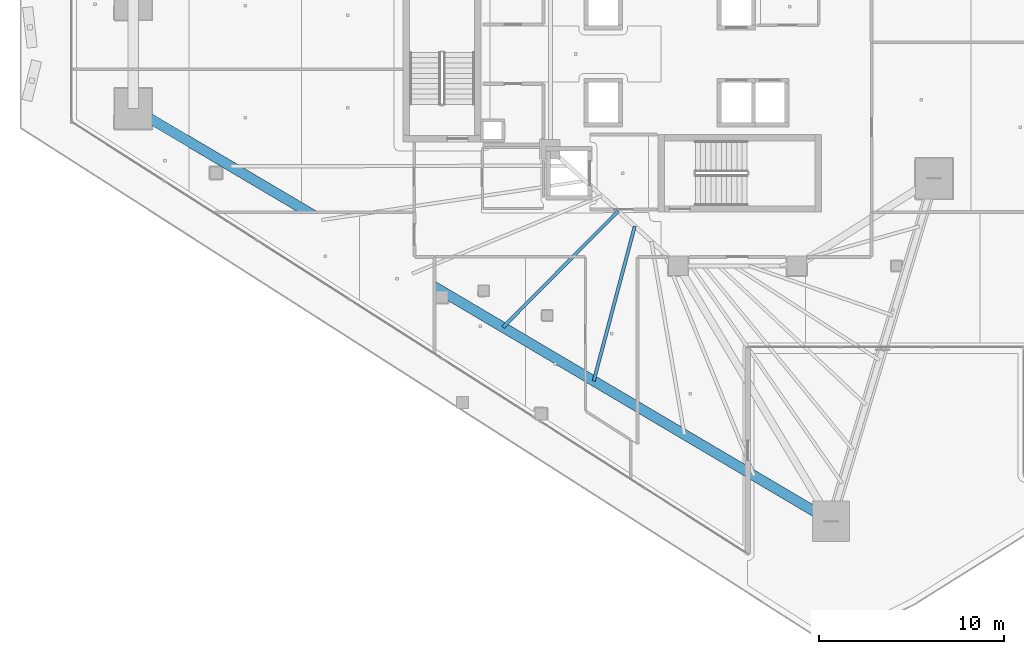
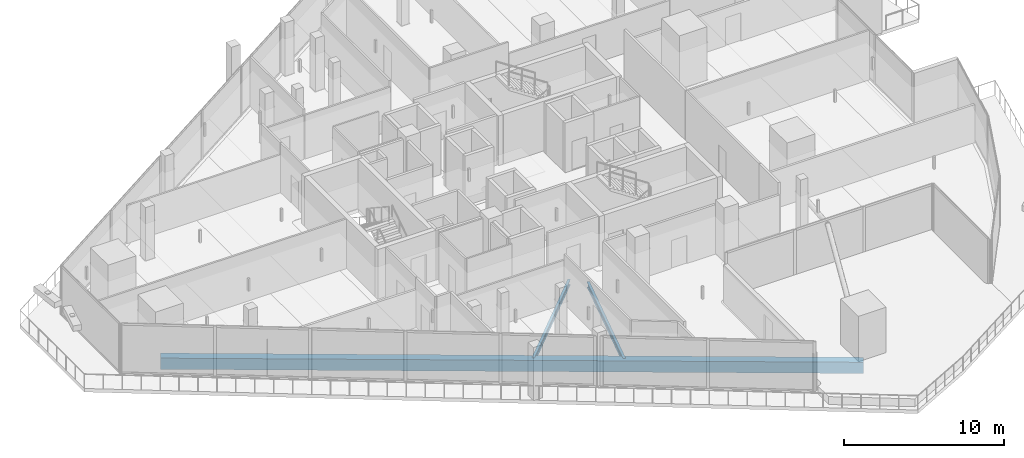
# One storey, part 4 of 38: 3 beams.
"""IFC4 building model written with IfcOpenShell, lengths in metres."""

from ifc_helpers import new_model, si_unit, direction, frame, origin, origin_2d, place, context, subcontext, project, spatial, rectangle, i_section, extrude, material, material_profile, profile_set, type_object, element, save


model = new_model("IFC4")

# Units and contexts
model_context = context("Model", 3, precision=1e-05, world=origin(), true_north=direction((0.0, 1.0)))
body_context = subcontext(model_context, "Body", "Model", "MODEL_VIEW")
ifc_project = project(units=[si_unit("LENGTHUNIT", "METRE"), si_unit("AREAUNIT", "SQUARE_METRE"), si_unit("VOLUMEUNIT", "CUBIC_METRE"), si_unit("PLANEANGLEUNIT", "RADIAN"), si_unit("MASSUNIT", "GRAM", prefix="KILO")], contexts=[model_context])

# Site, building, storey
site_placement = place(None, origin())
site = spatial("IfcSite", under=ifc_project, at=site_placement, CompositionType="ELEMENT")
building_placement = place(site_placement, origin())
building = spatial("IfcBuilding", under=site, at=building_placement, Name="Qorvath Tower", CompositionType="ELEMENT")
storey_placement = place(building_placement, frame((0.0, 0.0, 158.39990234375)))
storey = spatial("IfcBuildingStorey", under=building, at=storey_placement, Name="L36", CompositionType="ELEMENT", Elevation=158.39990234375)

# Beams
ifc_material_1 = material(Name="Steel ASTM A992 Grade 50", Category="steel")
ifc_material_profile_1 = material_profile(ifc_material_1, i_section(OverallWidth=0.177978515625, OverallDepth=0.406005859375, WebThickness=0.0078125, FlangeThickness=0.0126953125, FilletRadius=0.010986328125, at=origin_2d()), Name="W16x40")
ifc_profile_set_1 = profile_set([ifc_material_profile_1], Name="Steel ASTM A992 Grade 50")
beam_type_1 = type_object("IfcBeamType", Name="BM-FJ3", PredefinedType="JOIST", material=ifc_profile_set_1)
beam_1_placement = place(storey_placement, frame((-26.843017578125, -8.489013671875, -0.472900390625), z_axis=(-0.70395121362, -0.710248328997, 0.0), x_axis=(0.710248328997, -0.70395121362, 0.0)))
element("IfcBeam", 1, at=beam_1_placement, inside=storey, type_object=beam_type_1, Name="Composite Floor Joist SW4 L36", PredefinedType="JOIST", context=body_context, shape_type="SweptSolid", body=[
    extrude(i_section(OverallWidth=0.177978515625, OverallDepth=0.406005859375, WebThickness=0.0078125, FlangeThickness=0.0126953125, FilletRadius=0.010986328125, at=origin_2d()), origin(), (0.0, 0.0, 1.0), 8.839599609375),
])
beam_2_placement = place(storey_placement, frame((-25.946044921875, -9.30810546875, -0.472900390625), z_axis=(-0.256507909517, -0.966542131702, 0.0), x_axis=(0.966542131702, -0.256507909517, 0.0)))
element("IfcBeam", 2, at=beam_2_placement, inside=storey, type_object=beam_type_1, Name="Composite Floor Joist SW5 L36", PredefinedType="JOIST", context=body_context, shape_type="SweptSolid", body=[
    extrude(i_section(OverallWidth=0.177978515625, OverallDepth=0.406005859375, WebThickness=0.0078125, FlangeThickness=0.0126953125, FilletRadius=0.010986328125, at=origin_2d()), origin(), (0.0, 0.0, 1.0), 8.64697265625),
])
ifc_material_2 = material(Name="Concrete C50/60", Category="concrete")
ifc_material_profile_2 = material_profile(ifc_material_2, rectangle(XDim=0.550048828125, YDim=0.85009765625, at=origin_2d()), Name="RCB 850x550")
ifc_profile_set_2 = profile_set([ifc_material_profile_2], Name="Concrete C50/60")
beam_type_2 = type_object("IfcBeamType", Name="BM-RCB2", PredefinedType="SPANDREL", material=ifc_profile_set_2)
beam_3_placement = place(storey_placement, frame((-53.04931640625, -2.95068359375, -0.695068359375), z_axis=(0.860775142889, -0.508985415689, 0.0), x_axis=(0.508985415689, 0.860775142889, 0.0)))
element("IfcBeam", 3, at=beam_3_placement, inside=storey, type_object=beam_type_2, Name="Perimeter Loggia Frame Beam MC2-MC3 L36", PredefinedType="SPANDREL", context=body_context, shape_type="SweptSolid", body=[
    extrude(rectangle(XDim=0.550048828125, YDim=0.85009765625, at=origin_2d()), origin(), (0.0, 0.0, 1.0), 43.8037109375),
])

save(model, "model.ifc")
